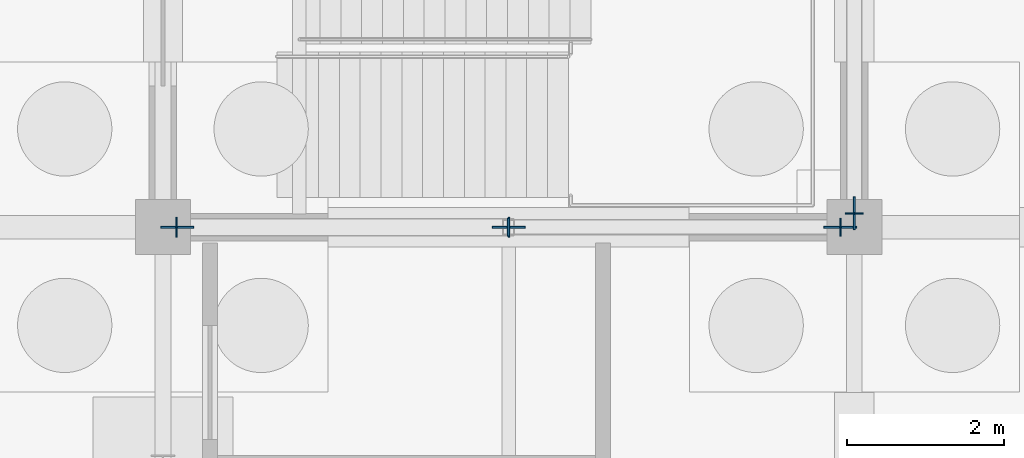
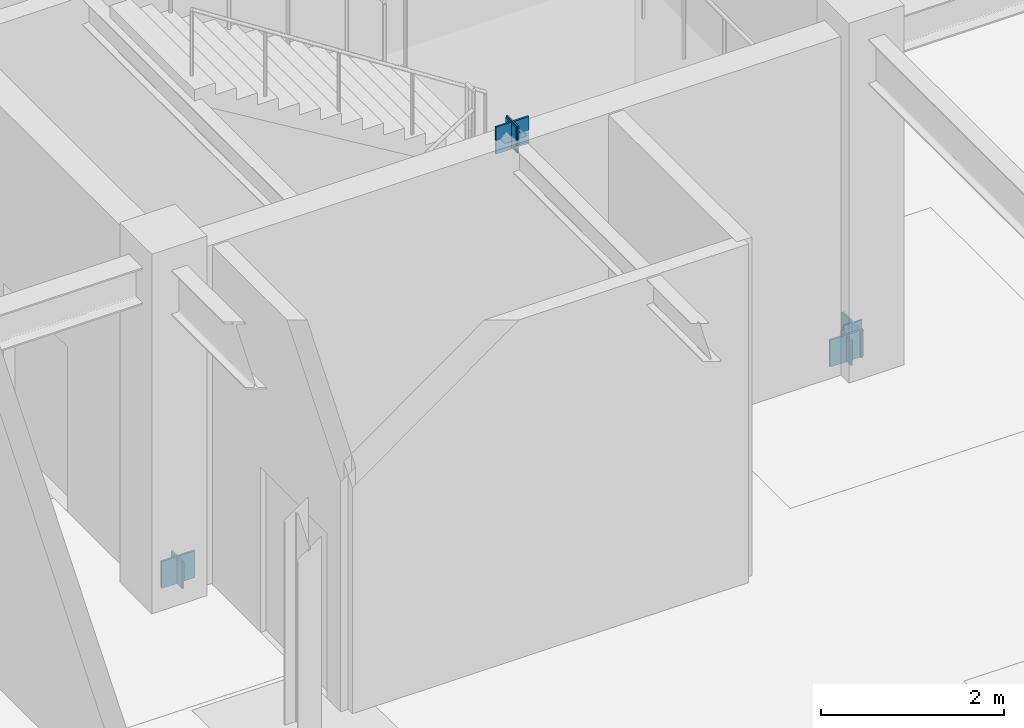
# One storey, part 46 of 72: 9 plates.
"""IFC4 building model written with IfcOpenShell, lengths in metres."""

from ifc_helpers import new_model, si_unit, direction, frame, origin, origin_2d, place, context, subcontext, project, spatial, rectangle, extrude, material, layer, layer_set, type_object, element, save


model = new_model("IFC4")

# Units and contexts
model_context = context("Model", 3, precision=1e-05, world=origin(), true_north=direction((0.0, 1.0)))
body_context = subcontext(model_context, "Body", "Model", "MODEL_VIEW")
ifc_project = project(units=[si_unit("LENGTHUNIT", "METRE"), si_unit("AREAUNIT", "SQUARE_METRE"), si_unit("VOLUMEUNIT", "CUBIC_METRE"), si_unit("PLANEANGLEUNIT", "RADIAN"), si_unit("MASSUNIT", "GRAM", prefix="KILO")], contexts=[model_context])

# Site, building, storey
site_placement = place(None, origin())
site = spatial("IfcSite", under=ifc_project, at=site_placement, CompositionType="ELEMENT")
building_placement = place(site_placement, origin())
building = spatial("IfcBuilding", under=site, at=building_placement, Name="Zhaolan Boulevard Law Courts", CompositionType="ELEMENT")
storey_placement = place(building_placement, frame((0.0, 0.0, -4.800048828125)))
storey = spatial("IfcBuildingStorey", under=building, at=storey_placement, Name="B1", CompositionType="ELEMENT", Elevation=-4.800048828125)

# Plates
ifc_material_1 = material(Name="Structural steel Q355B", Category="steel")
ifc_layer_1 = layer(ifc_material_1, 0.02392578125)
ifc_layer_set_1 = layer_set([ifc_layer_1])
plate_type_1 = type_object("IfcPlateType", Name="BRACE GUSSET PLATE 24", PredefinedType="SHEET", material=ifc_layer_set_1)
for number, where, z_axis, x_axis, name in (
    (1, (17.780029296875, 46.0, 0.02001953125), (0.0, 0.0, 1.0), (1.0, 0.0, 0.0), "Brace Gusset Connection Plate GP-W1-B1-SA1"),
    (2, (26.219970703125, 46.0, 0.02001953125), (0.0, 0.0, 1.0), (1.0, 0.0, 0.0), "Brace Gusset Connection Plate GP-W1-B1-SA2"),
    (3, (22.0, 46.0, 4.33984375), (0.0, 0.0, 1.0), (1.0, 0.0, 0.0), "Brace Gusset Connection Plate GP-W1-B1-SAPX"),
    (4, (26.39990234375, 46.179931640625, 0.02001953125), (0.0, 0.0, 1.0), (0.0, 1.0, 0.0), "Brace Gusset Connection Plate GP-W1-B1-EA1"),
):
    element("IfcPlate", number, at=place(storey_placement, frame(where, z_axis=z_axis, x_axis=x_axis)), inside=storey, type_object=plate_type_1, Name=name, PredefinedType="SHEET", context=body_context, shape_type="SweptSolid", body=[
        extrude(rectangle(XDim=0.419921875, YDim=0.02392578125, at=origin_2d()), origin(), (0.0, 0.0, 1.0), 0.360107421875),
    ])
ifc_material_2 = material(Name="Structural steel Q355B", Category="steel")
ifc_layer_2 = layer(ifc_material_2, 0.02001953125)
ifc_layer_set_2 = layer_set([ifc_layer_2])
plate_type_2 = type_object("IfcPlateType", Name="END CAP PLATE 20", PredefinedType="SHEET", material=ifc_layer_set_2)
for number, where, z_axis, x_axis, name in (
    (5, (17.7744140625, 46.0, 0.015380859375), (0.0, 0.0, 1.0), (1.0, 0.0, 0.0), "Hollow Section End-Cap Plate ECP-1047"),
    (6, (22.005615234375, 46.0, 4.3466796875), (0.0, 0.0, 1.0), (1.0, 0.0, 0.0), "Hollow Section End-Cap Plate ECP-1048"),
):
    element("IfcPlate", number, at=place(storey_placement, frame(where, z_axis=z_axis, x_axis=x_axis)), inside=storey, type_object=plate_type_2, Name=name, PredefinedType="SHEET", context=body_context, shape_type="SweptSolid", body=[
        extrude(rectangle(XDim=0.02001953125, YDim=0.25, at=origin_2d()), origin(), (0.0, 0.0, 1.0), 0.35791015625),
    ])
for number, where, z_axis, x_axis, name in (
    (7, (26.2255859375, 46.0, 0.02978515625), (0.0, 0.0, 1.0), (-1.0, 0.0, 0.0), "Hollow Section End-Cap Plate ECP-1049"),
    (8, (21.994384765625, 46.0, 4.361083984375), (0.0, 0.0, 1.0), (-1.0, 0.0, 0.0), "Hollow Section End-Cap Plate ECP-1050"),
):
    element("IfcPlate", number, at=place(storey_placement, frame(where, z_axis=z_axis, x_axis=x_axis)), inside=storey, type_object=plate_type_2, Name=name, PredefinedType="SHEET", context=body_context, shape_type="SweptSolid", body=[
        extrude(rectangle(XDim=0.02001953125, YDim=0.22998046875, at=origin_2d()), origin(), (0.0, 0.0, 1.0), 0.3291015625),
    ])
plate_placement = place(storey_placement, frame((26.39990234375, 46.1748046875, 0.0205078125), z_axis=(0.0, 0.0, 1.0), x_axis=(0.0, 1.0, 0.0)))
element("IfcPlate", 9, at=plate_placement, inside=storey, type_object=plate_type_2, Name="Hollow Section End-Cap Plate ECP-1051", PredefinedType="SHEET", context=body_context, shape_type="SweptSolid", body=[
    extrude(rectangle(XDim=0.02001953125, YDim=0.22998046875, at=origin_2d()), origin(), (0.0, 0.0, 1.0), 0.346923828125),
])

save(model, "model.ifc")
